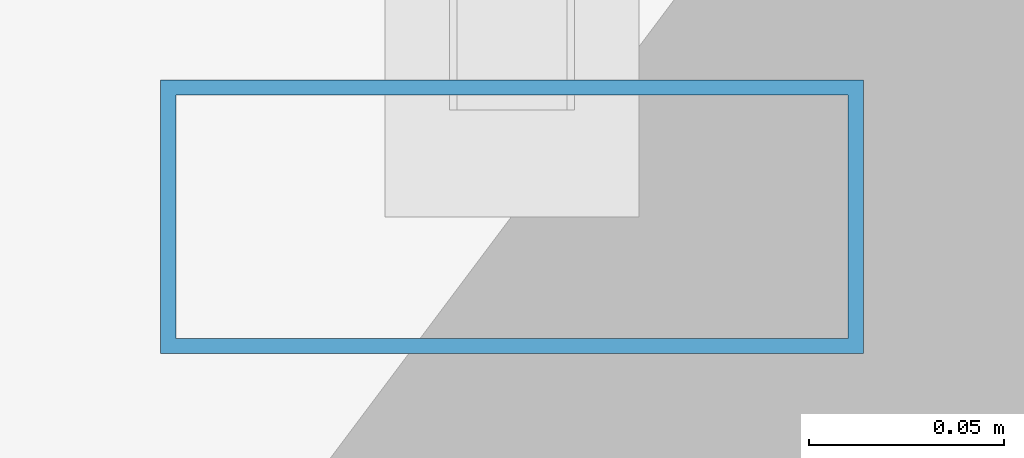
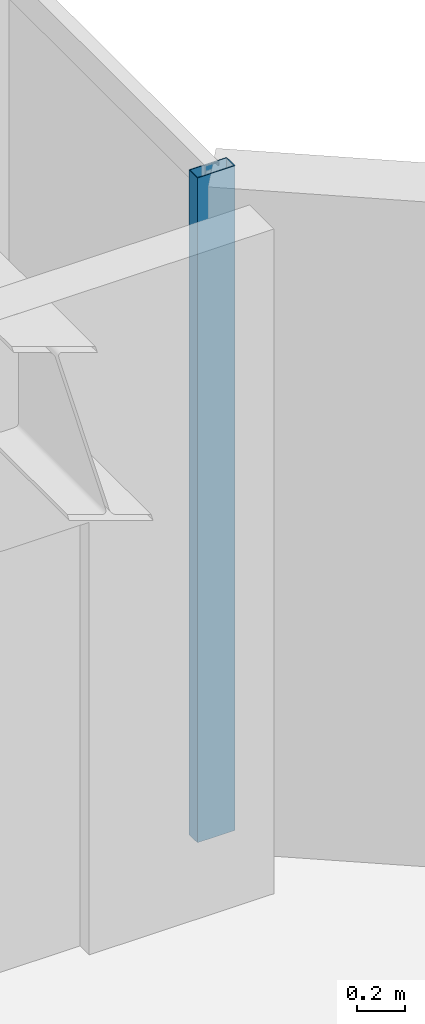
# One storey, part 10 of 26: 1 member, 1 element without a shape of its own.
"""IFC4 building model written with IfcOpenShell, lengths in metres."""

from ifc_helpers import new_model, si_unit, direction, frame, origin, origin_2d, place, context, subcontext, project, spatial, hollow_rectangle, extrude, material, layer, layer_set, material_profile, profile_set, type_object, element, aggregate, save


model = new_model("IFC4")

# Units and contexts
model_context = context("Model", 3, precision=1e-05, world=origin(), true_north=direction((0.0, 1.0)))
body_context = subcontext(model_context, "Body", "Model", "MODEL_VIEW")
ifc_project = project(units=[si_unit("LENGTHUNIT", "METRE"), si_unit("AREAUNIT", "SQUARE_METRE"), si_unit("VOLUMEUNIT", "CUBIC_METRE"), si_unit("PLANEANGLEUNIT", "RADIAN"), si_unit("MASSUNIT", "GRAM", prefix="KILO")], contexts=[model_context])

# Site, building, storey
site_placement = place(None, origin())
site = spatial("IfcSite", under=ifc_project, at=site_placement, CompositionType="ELEMENT")
building_placement = place(site_placement, origin())
building = spatial("IfcBuilding", under=site, at=building_placement, Name="Hatsunagi Terrace Concourse", CompositionType="ELEMENT")
storey_placement = place(building_placement, frame((0.0, 0.0, 209.550048828125)))
storey = spatial("IfcBuildingStorey", under=building, at=storey_placement, Name="L55", CompositionType="ELEMENT", Elevation=209.550048828125)

# Curtain wall, member
ifc_material_1 = material(Name="Anodised Aluminium Alloy 6063-T5", Category="aluminium")
ifc_layer = layer(ifc_material_1, 0.199951171875)
ifc_layer_set = layer_set([ifc_layer], Name="OfficeZone2_CW04")
curtain_wall_type = type_object("IfcCurtainWallType", Name="OfficeZone2_CW04", PredefinedType="NOTDEFINED", material=ifc_layer_set)
curtain_wall_placement = place(storey_placement, origin())
curtain_wall = element("IfcCurtainWall", 1, at=curtain_wall_placement, inside=storey, type_object=curtain_wall_type, Name="Unitised Curtain Wall CW-04 CW-L55-12", PredefinedType="NOTDEFINED")
ifc_material_2 = material(Name="Anodised Aluminium Alloy 6063-T5", Category="aluminium")
ifc_material_profile = material_profile(ifc_material_2, hollow_rectangle(XDim=0.070068359375, YDim=0.179931640625, WallThickness=0.00390625, at=origin_2d()), Name="ALU-MUL-180x70x4")
ifc_profile_set = profile_set([ifc_material_profile], Name="Anodised Aluminium Alloy 6063-T5")
member_type = type_object("IfcMemberType", Name="CurtainWallMullion_180x70", PredefinedType="MULLION", material=ifc_profile_set)
member_placement = place(storey_placement, frame((44.860107421875, 40.72998046875, 0.0), z_axis=(0.0, 0.0, 1.0), x_axis=(0.0, -1.0, 0.0)))
member = element("IfcMember", 2, at=member_placement, type_object=member_type, Name="Curtain Wall Mullion MUL-02", PredefinedType="MULLION", context=body_context, shape_type="SweptSolid", body=[
    extrude(hollow_rectangle(XDim=0.070068359375, YDim=0.179931640625, WallThickness=0.00390625, at=origin_2d()), origin(), (0.0, 0.0, 1.0), 3.349853515625),
])
aggregate(curtain_wall, [member])

save(model, "model.ifc")
